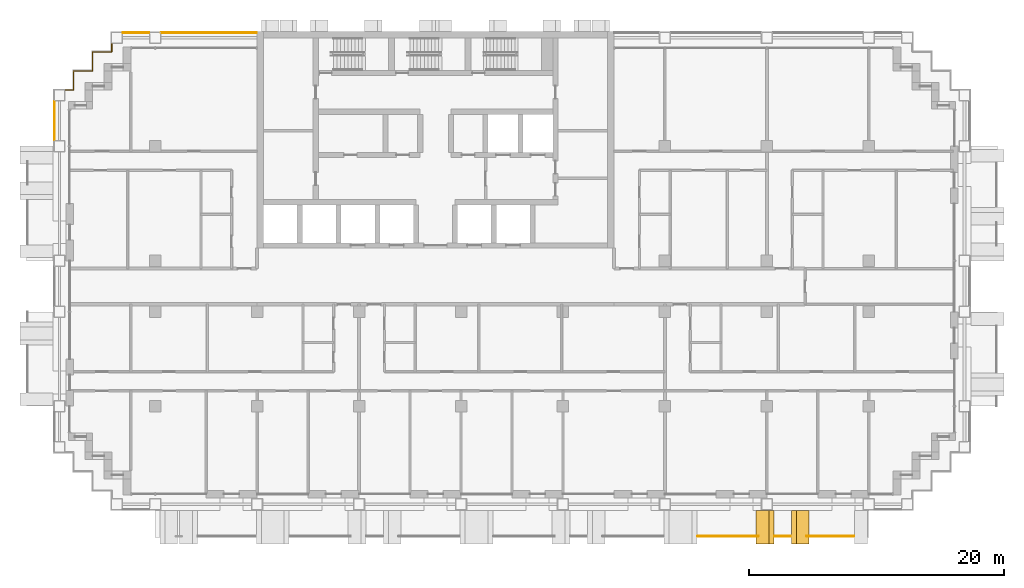
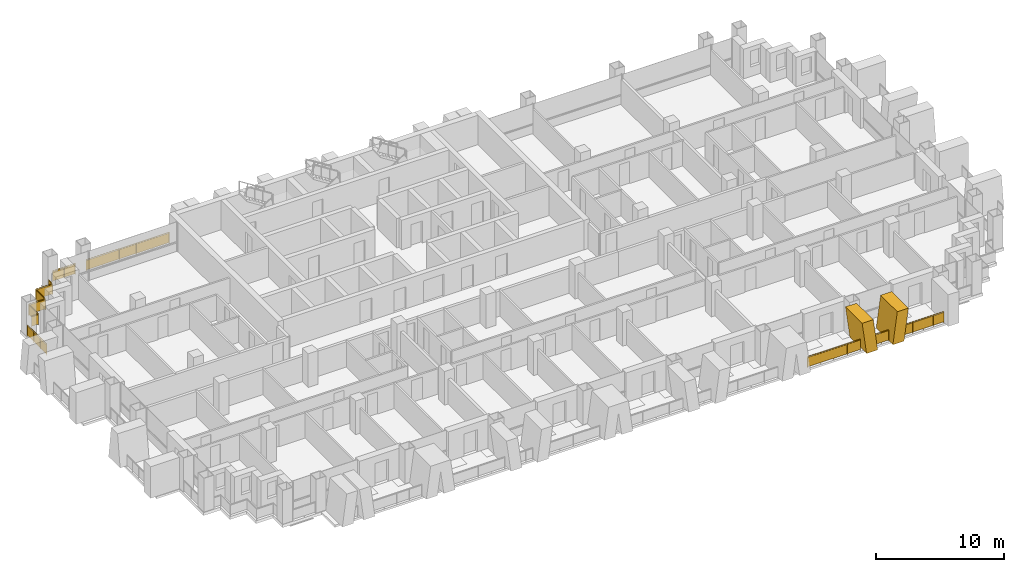
# One storey, part 16 of 18: 7 railings, 2 shading devices.
"""IFC4 building model written with IfcOpenShell, lengths in metres."""

from ifc_helpers import new_model, si_unit, direction, frame, origin, origin_2d, place, context, subcontext, project, spatial, polyline, rectangle, circle, outline, extrude, material, layer, layer_set, type_object, element, save


model = new_model("IFC4")

# Units and contexts
model_context = context("Model", 3, precision=1e-05, world=origin(), true_north=direction((0.0, 1.0)))
body_context = subcontext(model_context, "Body", "Model", "MODEL_VIEW")
ifc_project = project(units=[si_unit("LENGTHUNIT", "METRE"), si_unit("AREAUNIT", "SQUARE_METRE"), si_unit("VOLUMEUNIT", "CUBIC_METRE"), si_unit("PLANEANGLEUNIT", "RADIAN"), si_unit("MASSUNIT", "GRAM", prefix="KILO")], contexts=[model_context])

# Site, building, storey
site_placement = place(None, origin())
site = spatial("IfcSite", under=ifc_project, at=site_placement, CompositionType="ELEMENT")
building_placement = place(site_placement, origin())
building = spatial("IfcBuilding", under=site, at=building_placement, Name="Vidyagriha Tower", CompositionType="ELEMENT")
storey_placement = place(building_placement, frame((0.0, 0.0, 103.10009765625)))
storey = spatial("IfcBuildingStorey", under=building, at=storey_placement, Name="L27", CompositionType="ELEMENT", Elevation=103.10009765625)

# Railings
ifc_material_1 = material(Name="Steel ASTM A500 Grade C black painted", Category="steel")
railing_type_1 = type_object("IfcRailingType", Name="Balcony guard 1100", PredefinedType="BALUSTRADE", material=ifc_material_1)
railing_1_placement = place(storey_placement, frame((20.56494140625, -19.60009765625, 0.0)))
element("IfcRailing", 1, at=railing_1_placement, inside=storey, type_object=railing_type_1, Name="Balcony guard L27 R23.1-9", PredefinedType="BALUSTRADE", context=body_context, shape_type="SweptSolid", body=[
    extrude(circle(Radius=0.02490234375, at=origin_2d()), frame((0.0, 0.0, 1.0751953125), z_axis=(1.0, 0.0, 0.0), x_axis=(0.0, 1.0, 0.0)), (0.0, 0.0, 1.0), 4.773681640625),
    extrude(circle(Radius=0.02001953125, at=origin_2d()), origin(), (0.0, 0.0, 1.0), 1.050048828125),
    extrude(circle(Radius=0.02001953125, at=origin_2d()), frame((1.193359375, 0.0, 0.0)), (0.0, 0.0, 1.0), 1.050048828125),
    extrude(circle(Radius=0.02001953125, at=origin_2d()), frame((2.38671875, 0.0, 0.0)), (0.0, 0.0, 1.0), 1.050048828125),
    extrude(circle(Radius=0.02001953125, at=origin_2d()), frame((3.580322265625, 0.0, 0.0)), (0.0, 0.0, 1.0), 1.050048828125),
    extrude(circle(Radius=0.02001953125, at=origin_2d()), frame((4.773681640625, 0.0, 0.0)), (0.0, 0.0, 1.0), 1.050048828125),
    extrude(rectangle(XDim=0.010009765625, YDim=0.900146484375, at=origin_2d()), frame((0.0, 0.0, 0.550048828125), z_axis=(1.0, 0.0, 0.0), x_axis=(0.0, 1.0, 0.0)), (0.0, 0.0, 1.0), 4.773681640625),
])
railing_2_placement = place(storey_placement, frame((26.590087890625, -19.60009765625, 0.0)))
element("IfcRailing", 2, at=railing_2_placement, inside=storey, type_object=railing_type_1, Name="Balcony guard L27 R23.1-10", PredefinedType="BALUSTRADE", context=body_context, shape_type="SweptSolid", body=[
    extrude(circle(Radius=0.02490234375, at=origin_2d()), frame((0.0, 0.0, 1.0751953125), z_axis=(1.0, 0.0, 0.0), x_axis=(0.0, 1.0, 0.0)), (0.0, 0.0, 1.0), 1.27001953125),
    extrude(circle(Radius=0.02001953125, at=origin_2d()), origin(), (0.0, 0.0, 1.0), 1.050048828125),
    extrude(circle(Radius=0.02001953125, at=origin_2d()), frame((0.635009765625, 0.0, 0.0)), (0.0, 0.0, 1.0), 1.050048828125),
    extrude(circle(Radius=0.02001953125, at=origin_2d()), frame((1.27001953125, 0.0, 0.0)), (0.0, 0.0, 1.0), 1.050048828125),
    extrude(rectangle(XDim=0.010009765625, YDim=0.900146484375, at=origin_2d()), frame((0.0, 0.0, 0.550048828125), z_axis=(1.0, 0.0, 0.0), x_axis=(0.0, 1.0, 0.0)), (0.0, 0.0, 1.0), 1.27001953125),
])
railing_3_placement = place(storey_placement, frame((29.111328125, -19.60009765625, 0.0)))
element("IfcRailing", 3, at=railing_3_placement, inside=storey, type_object=railing_type_1, Name="Balcony guard L27 R23.1-11", PredefinedType="BALUSTRADE", context=body_context, shape_type="SweptSolid", body=[
    extrude(circle(Radius=0.02490234375, at=origin_2d()), frame((0.0, 0.0, 1.0751953125), z_axis=(1.0, 0.0, 0.0), x_axis=(0.0, 1.0, 0.0)), (0.0, 0.0, 1.0), 3.713623046875),
    extrude(circle(Radius=0.02001953125, at=origin_2d()), origin(), (0.0, 0.0, 1.0), 1.050048828125),
    extrude(circle(Radius=0.02001953125, at=origin_2d()), frame((0.928466796875, 0.0, 0.0)), (0.0, 0.0, 1.0), 1.050048828125),
    extrude(circle(Radius=0.02001953125, at=origin_2d()), frame((1.85693359375, 0.0, 0.0)), (0.0, 0.0, 1.0), 1.050048828125),
    extrude(circle(Radius=0.02001953125, at=origin_2d()), frame((2.78515625, 0.0, 0.0)), (0.0, 0.0, 1.0), 1.050048828125),
    extrude(circle(Radius=0.02001953125, at=origin_2d()), frame((3.713623046875, 0.0, 0.0)), (0.0, 0.0, 1.0), 1.050048828125),
    extrude(rectangle(XDim=0.010009765625, YDim=0.900146484375, at=origin_2d()), frame((0.0, 0.0, 0.550048828125), z_axis=(1.0, 0.0, 0.0), x_axis=(0.0, 1.0, 0.0)), (0.0, 0.0, 1.0), 3.713623046875),
])

# Shading devices
ifc_material_2 = material(Name="Precast concrete C40/50 with buff brick facing", Category="concrete")
ifc_layer = layer(ifc_material_2, 1.0)
ifc_layer_set = layer_set([ifc_layer], Name="Precast concrete C40/50 with buff brick facing")
shading_device_type = type_object("IfcShadingDeviceType", Name="Brick-faced blade fin arm leaning 8 degrees", PredefinedType="USERDEFINED", material=ifc_layer_set)
shading_device_1_placement = place(storey_placement, frame((27.909912109375, -18.89990234375, 0.0)))
element("IfcShadingDevice", 4, at=shading_device_1_placement, inside=storey, type_object=shading_device_type, Name="Leaning blade fin L27 R23.4990a", ObjectType="BLADE FIN", PredefinedType="USERDEFINED", context=body_context, shape_type="SweptSolid", body=[
    extrude(outline(polyline([(0.0, 0.0), (1.0, 0.0), (1.39501953125, 3.0), (0.39501953125, 3.0), (0.0, 0.0)])), frame((0.0, 1.300048828125, 0.0), z_axis=(0.0, -1.0, 0.0), x_axis=(1.0, 0.0, 0.0)), (0.0, 0.0, 1.0), 2.60009765625),
])
shading_device_2_placement = place(storey_placement, frame((25.14501953125, -18.89990234375, 0.0)))
element("IfcShadingDevice", 5, at=shading_device_2_placement, inside=storey, type_object=shading_device_type, Name="Leaning blade fin L27 R23.4990b", ObjectType="BLADE FIN", PredefinedType="USERDEFINED", context=body_context, shape_type="SweptSolid", body=[
    extrude(outline(polyline([(0.39501953125, 0.0), (1.39501953125, 0.0), (1.0, 3.0), (0.0, 3.0), (0.39501953125, 0.0)])), frame((0.0, 1.300048828125, 0.0), z_axis=(0.0, -1.0, 0.0), x_axis=(1.0, 0.0, 0.0)), (0.0, 0.0, 1.0), 2.60009765625),
])

# Railings
ifc_material_3 = material(Name="Steel ASTM A500 Grade C black painted", Category="steel")
railing_type_2 = type_object("IfcRailingType", Name="Gallery guard 1100", PredefinedType="GUARDRAIL", material=ifc_material_3)
railing_4_placement = place(storey_placement, frame((-29.89990234375, 11.47998046875, 0.0)))
element("IfcRailing", 6, at=railing_4_placement, inside=storey, type_object=railing_type_2, Name="Gallery guard L27 3", PredefinedType="GUARDRAIL", context=body_context, shape_type="SweptSolid", body=[
    extrude(circle(Radius=0.02490234375, at=origin_2d()), frame((0.0, 0.0, 1.0751953125), z_axis=(0.0, 1.0, 0.0), x_axis=(-1.0, 0.0, 0.0)), (0.0, 0.0, 1.0), 3.0400390625),
    extrude(circle(Radius=0.02001953125, at=origin_2d()), origin(), (0.0, 0.0, 1.0), 1.050048828125),
    extrude(circle(Radius=0.02001953125, at=origin_2d()), frame((0.0, 1.013427734375, 0.0)), (0.0, 0.0, 1.0), 1.050048828125),
    extrude(circle(Radius=0.02001953125, at=origin_2d()), frame((0.0, 2.026611328125, 0.0)), (0.0, 0.0, 1.0), 1.050048828125),
    extrude(circle(Radius=0.02001953125, at=origin_2d()), frame((0.0, 3.0400390625, 0.0)), (0.0, 0.0, 1.0), 1.050048828125),
    extrude(rectangle(XDim=0.010009765625, YDim=0.900146484375, at=origin_2d()), frame((0.0, 0.0, 0.550048828125), z_axis=(0.0, 1.0, 0.0), x_axis=(-1.0, 0.0, 0.0)), (0.0, 0.0, 1.0), 3.0400390625),
])
railing_5_placement = place(storey_placement, frame((-29.02001953125, 15.39990234375, 0.0)))
element("IfcRailing", 7, at=railing_5_placement, inside=storey, type_object=railing_type_2, Name="Gallery guard L27 5", PredefinedType="GUARDRAIL", context=body_context, shape_type="SweptSolid", body=[
    extrude(circle(Radius=0.02490234375, at=origin_2d()), frame((0.0, 0.0, 1.0751953125), z_axis=(1.0, 0.0, 0.0), x_axis=(0.0, 1.0, 0.0)), (0.0, 0.0, 1.0), 0.6201171875),
    extrude(circle(Radius=0.02490234375, at=origin_2d()), frame((0.6201171875, 0.0, 1.0751953125), z_axis=(0.0, 1.0, 0.0), x_axis=(-1.0, 0.0, 0.0)), (0.0, 0.0, 1.0), 1.5),
    extrude(circle(Radius=0.02490234375, at=origin_2d()), frame((0.6201171875, 1.5, 1.0751953125), z_axis=(1.0, 0.0, 0.0), x_axis=(0.0, 1.0, 0.0)), (0.0, 0.0, 1.0), 1.5),
    extrude(circle(Radius=0.02490234375, at=origin_2d()), frame((2.1201171875, 1.5, 1.0751953125), z_axis=(0.0, 1.0, 0.0), x_axis=(-1.0, 0.0, 0.0)), (0.0, 0.0, 1.0), 1.5),
    extrude(circle(Radius=0.02490234375, at=origin_2d()), frame((2.1201171875, 3.0, 1.0751953125), z_axis=(1.0, 0.0, 0.0), x_axis=(0.0, 1.0, 0.0)), (0.0, 0.0, 1.0), 1.5),
    extrude(circle(Radius=0.02490234375, at=origin_2d()), frame((3.6201171875, 3.0, 1.0751953125), z_axis=(0.0, 1.0, 0.0), x_axis=(-1.0, 0.0, 0.0)), (0.0, 0.0, 1.0), 0.6201171875),
    extrude(circle(Radius=0.02001953125, at=origin_2d()), origin(), (0.0, 0.0, 1.0), 1.050048828125),
    extrude(circle(Radius=0.02001953125, at=origin_2d()), frame((0.6201171875, 0.0, 0.0)), (0.0, 0.0, 1.0), 1.050048828125),
    extrude(circle(Radius=0.02001953125, at=origin_2d()), frame((0.6201171875, 1.5, 0.0)), (0.0, 0.0, 1.0), 1.050048828125),
    extrude(circle(Radius=0.02001953125, at=origin_2d()), frame((2.1201171875, 1.5, 0.0)), (0.0, 0.0, 1.0), 1.050048828125),
    extrude(circle(Radius=0.02001953125, at=origin_2d()), frame((2.1201171875, 3.0, 0.0)), (0.0, 0.0, 1.0), 1.050048828125),
    extrude(circle(Radius=0.02001953125, at=origin_2d()), frame((3.6201171875, 3.0, 0.0)), (0.0, 0.0, 1.0), 1.050048828125),
    extrude(circle(Radius=0.02001953125, at=origin_2d()), frame((3.6201171875, 3.6201171875, 0.0)), (0.0, 0.0, 1.0), 1.050048828125),
    extrude(rectangle(XDim=0.010009765625, YDim=0.900146484375, at=origin_2d()), frame((0.0, 0.0, 0.550048828125), z_axis=(1.0, 0.0, 0.0), x_axis=(0.0, 1.0, 0.0)), (0.0, 0.0, 1.0), 0.6201171875),
    extrude(rectangle(XDim=0.010009765625, YDim=0.900146484375, at=origin_2d()), frame((0.6201171875, 0.0, 0.550048828125), z_axis=(0.0, 1.0, 0.0), x_axis=(-1.0, 0.0, 0.0)), (0.0, 0.0, 1.0), 1.5),
    extrude(rectangle(XDim=0.010009765625, YDim=0.900146484375, at=origin_2d()), frame((0.6201171875, 1.5, 0.550048828125), z_axis=(1.0, 0.0, 0.0), x_axis=(0.0, 1.0, 0.0)), (0.0, 0.0, 1.0), 1.5),
    extrude(rectangle(XDim=0.010009765625, YDim=0.900146484375, at=origin_2d()), frame((2.1201171875, 1.5, 0.550048828125), z_axis=(0.0, 1.0, 0.0), x_axis=(-1.0, 0.0, 0.0)), (0.0, 0.0, 1.0), 1.5),
    extrude(rectangle(XDim=0.010009765625, YDim=0.900146484375, at=origin_2d()), frame((2.1201171875, 3.0, 0.550048828125), z_axis=(1.0, 0.0, 0.0), x_axis=(0.0, 1.0, 0.0)), (0.0, 0.0, 1.0), 1.5),
    extrude(rectangle(XDim=0.010009765625, YDim=0.900146484375, at=origin_2d()), frame((3.6201171875, 3.0, 0.550048828125), z_axis=(0.0, 1.0, 0.0), x_axis=(-1.0, 0.0, 0.0)), (0.0, 0.0, 1.0), 0.6201171875),
])
railing_6_placement = place(storey_placement, frame((-24.52001953125, 19.89990234375, 0.0)))
element("IfcRailing", 8, at=railing_6_placement, inside=storey, type_object=railing_type_2, Name="Gallery guard L27 7", PredefinedType="GUARDRAIL", context=body_context, shape_type="SweptSolid", body=[
    extrude(circle(Radius=0.02490234375, at=origin_2d()), frame((0.0, 0.0, 1.0751953125), z_axis=(1.0, 0.0, 0.0), x_axis=(0.0, 1.0, 0.0)), (0.0, 0.0, 1.0), 2.0400390625),
    extrude(circle(Radius=0.02001953125, at=origin_2d()), origin(), (0.0, 0.0, 1.0), 1.050048828125),
    extrude(circle(Radius=0.02001953125, at=origin_2d()), frame((1.02001953125, 0.0, 0.0)), (0.0, 0.0, 1.0), 1.050048828125),
    extrude(circle(Radius=0.02001953125, at=origin_2d()), frame((2.0400390625, 0.0, 0.0)), (0.0, 0.0, 1.0), 1.050048828125),
    extrude(rectangle(XDim=0.010009765625, YDim=0.900146484375, at=origin_2d()), frame((0.0, 0.0, 0.550048828125), z_axis=(1.0, 0.0, 0.0), x_axis=(0.0, 1.0, 0.0)), (0.0, 0.0, 1.0), 2.0400390625),
])
railing_7_placement = place(storey_placement, frame((-21.52001953125, 19.89990234375, 0.0)))
element("IfcRailing", 9, at=railing_7_placement, inside=storey, type_object=railing_type_2, Name="Gallery guard L27 8", PredefinedType="GUARDRAIL", context=body_context, shape_type="SweptSolid", body=[
    extrude(circle(Radius=0.02490234375, at=origin_2d()), frame((0.0, 0.0, 1.0751953125), z_axis=(1.0, 0.0, 0.0), x_axis=(0.0, 1.0, 0.0)), (0.0, 0.0, 1.0), 7.489990234375),
    extrude(circle(Radius=0.02001953125, at=origin_2d()), origin(), (0.0, 0.0, 1.0), 1.050048828125),
    extrude(circle(Radius=0.02001953125, at=origin_2d()), frame((1.498046875, 0.0, 0.0)), (0.0, 0.0, 1.0), 1.050048828125),
    extrude(circle(Radius=0.02001953125, at=origin_2d()), frame((2.99609375, 0.0, 0.0)), (0.0, 0.0, 1.0), 1.050048828125),
    extrude(circle(Radius=0.02001953125, at=origin_2d()), frame((4.493896484375, 0.0, 0.0)), (0.0, 0.0, 1.0), 1.050048828125),
    extrude(circle(Radius=0.02001953125, at=origin_2d()), frame((5.991943359375, 0.0, 0.0)), (0.0, 0.0, 1.0), 1.050048828125),
    extrude(circle(Radius=0.02001953125, at=origin_2d()), frame((7.489990234375, 0.0, 0.0)), (0.0, 0.0, 1.0), 1.050048828125),
    extrude(rectangle(XDim=0.010009765625, YDim=0.900146484375, at=origin_2d()), frame((0.0, 0.0, 0.550048828125), z_axis=(1.0, 0.0, 0.0), x_axis=(0.0, 1.0, 0.0)), (0.0, 0.0, 1.0), 7.489990234375),
])

save(model, "model.ifc")
